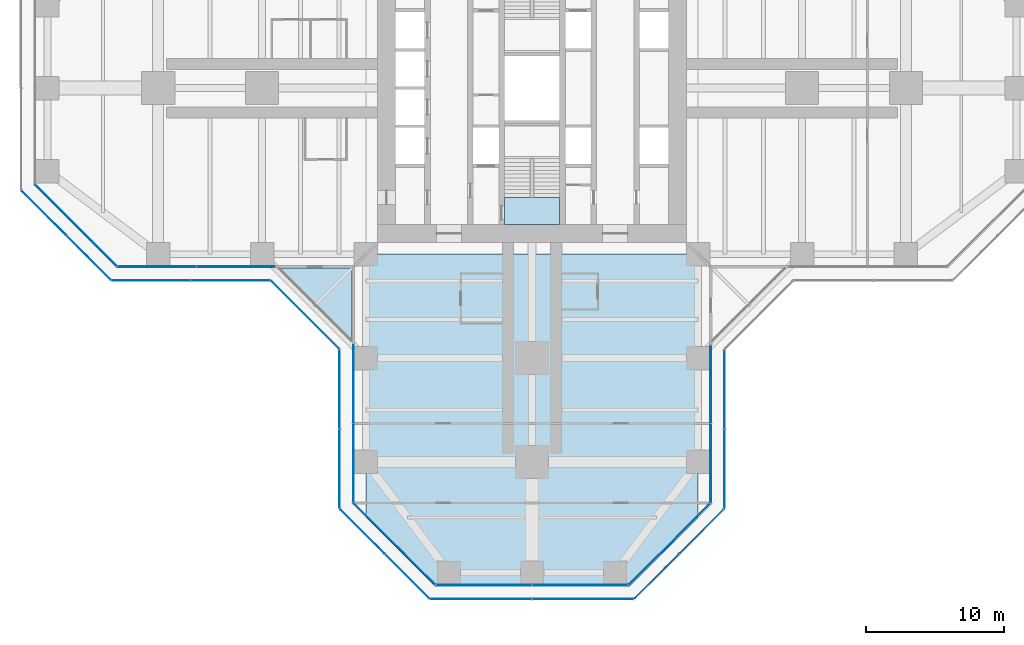
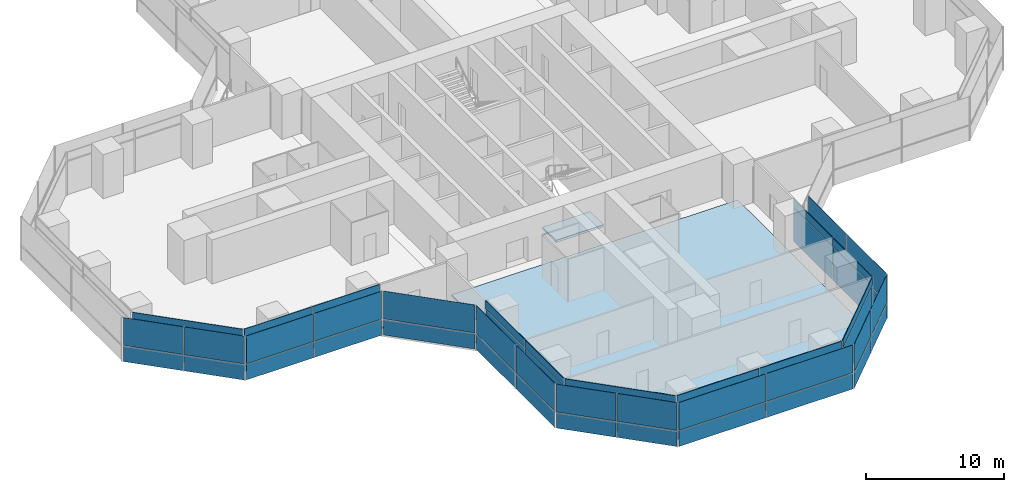
# One storey, part 14 of 22: 52 plates, 3 slabs, 16 elements without a shape of their own.
"""IFC4 building model written with IfcOpenShell, lengths in metres."""

from ifc_helpers import new_model, si_unit, direction, frame, origin, origin_2d, place, context, subcontext, project, spatial, polyline, rectangle, outline, extrude, material, layer, layer_set, type_object, element, aggregate, save


model = new_model("IFC4")

# Units and contexts
model_context = context("Model", 3, precision=1e-05, world=origin(), true_north=direction((0.0, 1.0)))
body_context = subcontext(model_context, "Body", "Model", "MODEL_VIEW")
ifc_project = project(units=[si_unit("LENGTHUNIT", "METRE"), si_unit("AREAUNIT", "SQUARE_METRE"), si_unit("VOLUMEUNIT", "CUBIC_METRE"), si_unit("PLANEANGLEUNIT", "RADIAN"), si_unit("MASSUNIT", "GRAM", prefix="KILO")], contexts=[model_context])

# Site, building, storey
site_placement = place(None, origin())
site = spatial("IfcSite", under=ifc_project, at=site_placement, CompositionType="ELEMENT")
building_placement = place(site_placement, origin())
building = spatial("IfcBuilding", under=site, at=building_placement, Name="Mizan Broadcast Tower", CompositionType="ELEMENT")
storey_placement = place(building_placement, frame((0.0, 0.0, 90.300048828125)))
storey = spatial("IfcBuildingStorey", under=building, at=storey_placement, Name="L19", CompositionType="ELEMENT", Elevation=90.300048828125)

# Slab
ifc_material_1 = material(Name="Concrete C32/40", Category="concrete")
ifc_layer_1 = layer(ifc_material_1, 0.1298828125)
ifc_layer_set_1 = layer_set([ifc_layer_1], Name="Concrete C32/40")
slab_type_1 = type_object("IfcSlabType", Name="COMPOSITE DECK SLAB 130", PredefinedType="FLOOR", material=ifc_layer_set_1)
slab_1_placement = place(storey_placement, frame((0.0, 0.0, -0.130126953125)))
element("IfcSlab", 1, at=slab_1_placement, inside=storey, type_object=slab_type_1, Name="Floor slab L19 south arm", PredefinedType="FLOOR", context=body_context, shape_type="SweptSolid", body=[
    extrude(outline(polyline([(7.0, -36.0), (12.0, -31.0), (12.0, -12.0), (-12.0, -12.0), (-12.0, -31.0), (-7.0, -36.0), (7.0, -36.0)])), origin(), (0.0, 0.0, 1.0), 0.130126953125),
])

# Curtain wall, plate
ifc_material_2 = material(Name="Aluminium framed glazing", Category="aluminium")
curtain_wall_type_1 = type_object("IfcCurtainWallType", Name="INNER SKIN LOW ZONE", PredefinedType="USERDEFINED", material=ifc_material_2)
curtain_wall_1_placement = place(storey_placement, origin())
curtain_wall_1 = element("IfcCurtainWall", 2, at=curtain_wall_1_placement, inside=storey, type_object=curtain_wall_type_1, Name="Inner skin low zone L19 W chamfer", ObjectType="INNER SKIN LOW ZONE", PredefinedType="USERDEFINED")
ifc_material_3 = material(Name="Double glazing, clear low-e", Category="glass")
ifc_layer_2 = layer(ifc_material_3, 0.028076171875)
ifc_layer_set_2 = layer_set([ifc_layer_2], Name="Double glazing, clear low-e")
plate_type_1 = type_object("IfcPlateType", Name="INNER SKIN GLAZING UNIT", PredefinedType="CURTAIN_PANEL", material=ifc_layer_set_2)
plate_1_placement = place(storey_placement, frame((-32.92919921875, -9.92919921875, 0.0), z_axis=(0.0, 0.0, 1.0), x_axis=(0.707106781187, -0.707106781187, 0.0)))
plate_1 = element("IfcPlate", 3, at=plate_1_placement, type_object=plate_type_1, Name="Inner skin low zone L19 W chamfer panel 1.1", PredefinedType="CURTAIN_PANEL", context=body_context, shape_type="SweptSolid", body=[
    extrude(rectangle(XDim=8.282470703125, YDim=0.028076171875, at=origin_2d()), origin(), (0.0, 0.0, 1.0), 3.0),
])

# Curtain wall, plates
curtain_wall_2_placement = place(storey_placement, origin())
curtain_wall_2 = element("IfcCurtainWall", 4, at=curtain_wall_2_placement, inside=storey, type_object=curtain_wall_type_1, Name="Inner skin low zone L19 W side", ObjectType="INNER SKIN LOW ZONE", PredefinedType="USERDEFINED")
plate_2_placement = place(storey_placement, frame((-27.078857421875, -12.89990234375, 0.0), z_axis=(0.0, 0.0, 1.0), x_axis=(1.0, 0.0, 0.0)))
plate_2 = element("IfcPlate", 5, at=plate_2_placement, type_object=plate_type_1, Name="Inner skin low zone L19 W side panel 1.1", PredefinedType="CURTAIN_PANEL", context=body_context, shape_type="SweptSolid", body=[
    extrude(rectangle(XDim=5.639404296875, YDim=0.028076171875, at=origin_2d()), origin(), (0.0, 0.0, 1.0), 3.0),
])
plate_3_placement = place(storey_placement, frame((-21.379638671875, -12.89990234375, 0.0), z_axis=(0.0, 0.0, 1.0), x_axis=(1.0, 0.0, 0.0)))
plate_3 = element("IfcPlate", 6, at=plate_3_placement, type_object=plate_type_1, Name="Inner skin low zone L19 W side panel 2.1", PredefinedType="CURTAIN_PANEL", context=body_context, shape_type="SweptSolid", body=[
    extrude(rectangle(XDim=5.639404296875, YDim=0.028076171875, at=origin_2d()), origin(), (0.0, 0.0, 1.0), 3.0),
])

curtain_wall_3_placement = place(storey_placement, origin())
curtain_wall_3 = element("IfcCurtainWall", 7, at=curtain_wall_3_placement, inside=storey, type_object=curtain_wall_type_1, Name="Inner skin low zone L19 S side", ObjectType="INNER SKIN LOW ZONE", PredefinedType="USERDEFINED")
plate_4_placement = place(storey_placement, frame((-12.89990234375, -21.379638671875, 0.0), z_axis=(0.0, 0.0, 1.0), x_axis=(0.0, -1.0, 0.0)))
plate_4 = element("IfcPlate", 8, at=plate_4_placement, type_object=plate_type_1, Name="Inner skin low zone L19 S side panel 1.1", PredefinedType="CURTAIN_PANEL", context=body_context, shape_type="SweptSolid", body=[
    extrude(rectangle(XDim=5.639404296875, YDim=0.028076171875, at=origin_2d()), origin(), (0.0, 0.0, 1.0), 3.0),
])
plate_5_placement = place(storey_placement, frame((-12.89990234375, -27.078857421875, 0.0), z_axis=(0.0, 0.0, 1.0), x_axis=(0.0, -1.0, 0.0)))
plate_5 = element("IfcPlate", 9, at=plate_5_placement, type_object=plate_type_1, Name="Inner skin low zone L19 S side panel 2.1", PredefinedType="CURTAIN_PANEL", context=body_context, shape_type="SweptSolid", body=[
    extrude(rectangle(XDim=5.639404296875, YDim=0.028076171875, at=origin_2d()), origin(), (0.0, 0.0, 1.0), 3.0),
])

# Curtain wall, plate
curtain_wall_4_placement = place(storey_placement, origin())
curtain_wall_4 = element("IfcCurtainWall", 10, at=curtain_wall_4_placement, inside=storey, type_object=curtain_wall_type_1, Name="Inner skin low zone L19 S chamfer", ObjectType="INNER SKIN LOW ZONE", PredefinedType="USERDEFINED")
plate_6_placement = place(storey_placement, frame((-9.92919921875, -32.92919921875, 0.0), z_axis=(0.0, 0.0, 1.0), x_axis=(0.707106781187, -0.707106781187, 0.0)))
plate_6 = element("IfcPlate", 11, at=plate_6_placement, type_object=plate_type_1, Name="Inner skin low zone L19 S chamfer panel 1.1", PredefinedType="CURTAIN_PANEL", context=body_context, shape_type="SweptSolid", body=[
    extrude(rectangle(XDim=8.282470703125, YDim=0.028076171875, at=origin_2d()), origin(), (0.0, 0.0, 1.0), 3.0),
])

# Curtain wall, plates
curtain_wall_5_placement = place(storey_placement, origin())
curtain_wall_5 = element("IfcCurtainWall", 12, at=curtain_wall_5_placement, inside=storey, type_object=curtain_wall_type_1, Name="Inner skin low zone L19 S end", ObjectType="INNER SKIN LOW ZONE", PredefinedType="USERDEFINED")
plate_7_placement = place(storey_placement, frame((-3.46435546875, -35.89990234375, 0.0), z_axis=(0.0, 0.0, 1.0), x_axis=(1.0, 0.0, 0.0)))
plate_7 = element("IfcPlate", 13, at=plate_7_placement, type_object=plate_type_1, Name="Inner skin low zone L19 S end panel 1.1", PredefinedType="CURTAIN_PANEL", context=body_context, shape_type="SweptSolid", body=[
    extrude(rectangle(XDim=6.86865234375, YDim=0.028076171875, at=origin_2d()), origin(), (0.0, 0.0, 1.0), 3.0),
])
plate_8_placement = place(storey_placement, frame((3.46435546875, -35.89990234375, 0.0), z_axis=(0.0, 0.0, 1.0), x_axis=(1.0, 0.0, 0.0)))
plate_8 = element("IfcPlate", 14, at=plate_8_placement, type_object=plate_type_1, Name="Inner skin low zone L19 S end panel 2.1", PredefinedType="CURTAIN_PANEL", context=body_context, shape_type="SweptSolid", body=[
    extrude(rectangle(XDim=6.86865234375, YDim=0.028076171875, at=origin_2d()), origin(), (0.0, 0.0, 1.0), 3.0),
])

# Curtain wall, plate
curtain_wall_6_placement = place(storey_placement, origin())
curtain_wall_6 = element("IfcCurtainWall", 15, at=curtain_wall_6_placement, inside=storey, type_object=curtain_wall_type_1, Name="Inner skin low zone L19 S chamfer", ObjectType="INNER SKIN LOW ZONE", PredefinedType="USERDEFINED")
plate_9_placement = place(storey_placement, frame((9.92919921875, -32.92919921875, 0.0), z_axis=(0.0, 0.0, 1.0), x_axis=(0.707106781187, 0.707106781187, 0.0)))
plate_9 = element("IfcPlate", 16, at=plate_9_placement, type_object=plate_type_1, Name="Inner skin low zone L19 S chamfer panel 1.1", PredefinedType="CURTAIN_PANEL", context=body_context, shape_type="SweptSolid", body=[
    extrude(rectangle(XDim=8.282470703125, YDim=0.028076171875, at=origin_2d()), origin(), (0.0, 0.0, 1.0), 3.0),
])

# Curtain wall, plates
curtain_wall_7_placement = place(storey_placement, origin())
curtain_wall_7 = element("IfcCurtainWall", 17, at=curtain_wall_7_placement, inside=storey, type_object=curtain_wall_type_1, Name="Inner skin low zone L19 S side", ObjectType="INNER SKIN LOW ZONE", PredefinedType="USERDEFINED")
plate_10_placement = place(storey_placement, frame((12.89990234375, -27.078857421875, 0.0), z_axis=(0.0, 0.0, 1.0), x_axis=(0.0, 1.0, 0.0)))
plate_10 = element("IfcPlate", 18, at=plate_10_placement, type_object=plate_type_1, Name="Inner skin low zone L19 S side panel 1.1", PredefinedType="CURTAIN_PANEL", context=body_context, shape_type="SweptSolid", body=[
    extrude(rectangle(XDim=5.639404296875, YDim=0.028076171875, at=origin_2d()), origin(), (0.0, 0.0, 1.0), 3.0),
])
plate_11_placement = place(storey_placement, frame((12.89990234375, -21.379638671875, 0.0), z_axis=(0.0, 0.0, 1.0), x_axis=(0.0, 1.0, 0.0)))
plate_11 = element("IfcPlate", 19, at=plate_11_placement, type_object=plate_type_1, Name="Inner skin low zone L19 S side panel 2.1", PredefinedType="CURTAIN_PANEL", context=body_context, shape_type="SweptSolid", body=[
    extrude(rectangle(XDim=5.639404296875, YDim=0.028076171875, at=origin_2d()), origin(), (0.0, 0.0, 1.0), 3.0),
])

# Plate
ifc_material_4 = material(Name="Insulated aluminium spandrel panel, pale anodised", Category="aluminium")
ifc_layer_3 = layer(ifc_material_4, 0.050048828125)
ifc_layer_set_3 = layer_set([ifc_layer_3], Name="Insulated aluminium spandrel panel, pale anodised")
plate_type_2 = type_object("IfcPlateType", Name="INNER SKIN SPANDREL PANEL", PredefinedType="CURTAIN_PANEL", material=ifc_layer_set_3)
plate_12_placement = place(storey_placement, frame((-32.92919921875, -9.92919921875, 3.06005859375), z_axis=(0.0, 0.0, 1.0), x_axis=(0.707106781187, -0.707106781187, 0.0)))
plate_12 = element("IfcPlate", 20, at=plate_12_placement, type_object=plate_type_2, Name="Inner skin low zone L19 W chamfer panel 1.2", PredefinedType="CURTAIN_PANEL", context=body_context, shape_type="SweptSolid", body=[
    extrude(rectangle(XDim=8.282470703125, YDim=0.050048828125, at=origin_2d()), origin(), (0.0, 0.0, 1.0), 0.7099609375),
])

aggregate(curtain_wall_1, [plate_1, plate_12])

plate_13_placement = place(storey_placement, frame((-27.078857421875, -12.89990234375, 3.06005859375), z_axis=(0.0, 0.0, 1.0), x_axis=(1.0, 0.0, 0.0)))
plate_13 = element("IfcPlate", 21, at=plate_13_placement, type_object=plate_type_2, Name="Inner skin low zone L19 W side panel 1.2", PredefinedType="CURTAIN_PANEL", context=body_context, shape_type="SweptSolid", body=[
    extrude(rectangle(XDim=5.639404296875, YDim=0.050048828125, at=origin_2d()), origin(), (0.0, 0.0, 1.0), 0.7099609375),
])

plate_14_placement = place(storey_placement, frame((-21.379638671875, -12.89990234375, 3.06005859375), z_axis=(0.0, 0.0, 1.0), x_axis=(1.0, 0.0, 0.0)))
plate_14 = element("IfcPlate", 22, at=plate_14_placement, type_object=plate_type_2, Name="Inner skin low zone L19 W side panel 2.2", PredefinedType="CURTAIN_PANEL", context=body_context, shape_type="SweptSolid", body=[
    extrude(rectangle(XDim=5.639404296875, YDim=0.050048828125, at=origin_2d()), origin(), (0.0, 0.0, 1.0), 0.7099609375),
])

aggregate(curtain_wall_2, [plate_2, plate_13, plate_3, plate_14])

plate_15_placement = place(storey_placement, frame((-12.89990234375, -21.379638671875, 3.06005859375), z_axis=(0.0, 0.0, 1.0), x_axis=(0.0, -1.0, 0.0)))
plate_15 = element("IfcPlate", 23, at=plate_15_placement, type_object=plate_type_2, Name="Inner skin low zone L19 S side panel 1.2", PredefinedType="CURTAIN_PANEL", context=body_context, shape_type="SweptSolid", body=[
    extrude(rectangle(XDim=5.639404296875, YDim=0.050048828125, at=origin_2d()), origin(), (0.0, 0.0, 1.0), 0.7099609375),
])

plate_16_placement = place(storey_placement, frame((-12.89990234375, -27.078857421875, 3.06005859375), z_axis=(0.0, 0.0, 1.0), x_axis=(0.0, -1.0, 0.0)))
plate_16 = element("IfcPlate", 24, at=plate_16_placement, type_object=plate_type_2, Name="Inner skin low zone L19 S side panel 2.2", PredefinedType="CURTAIN_PANEL", context=body_context, shape_type="SweptSolid", body=[
    extrude(rectangle(XDim=5.639404296875, YDim=0.050048828125, at=origin_2d()), origin(), (0.0, 0.0, 1.0), 0.7099609375),
])

aggregate(curtain_wall_3, [plate_4, plate_15, plate_5, plate_16])

plate_17_placement = place(storey_placement, frame((-9.92919921875, -32.92919921875, 3.06005859375), z_axis=(0.0, 0.0, 1.0), x_axis=(0.707106781187, -0.707106781187, 0.0)))
plate_17 = element("IfcPlate", 25, at=plate_17_placement, type_object=plate_type_2, Name="Inner skin low zone L19 S chamfer panel 1.2", PredefinedType="CURTAIN_PANEL", context=body_context, shape_type="SweptSolid", body=[
    extrude(rectangle(XDim=8.282470703125, YDim=0.050048828125, at=origin_2d()), origin(), (0.0, 0.0, 1.0), 0.7099609375),
])

aggregate(curtain_wall_4, [plate_6, plate_17])

plate_18_placement = place(storey_placement, frame((-3.46435546875, -35.89990234375, 3.06005859375), z_axis=(0.0, 0.0, 1.0), x_axis=(1.0, 0.0, 0.0)))
plate_18 = element("IfcPlate", 26, at=plate_18_placement, type_object=plate_type_2, Name="Inner skin low zone L19 S end panel 1.2", PredefinedType="CURTAIN_PANEL", context=body_context, shape_type="SweptSolid", body=[
    extrude(rectangle(XDim=6.86865234375, YDim=0.050048828125, at=origin_2d()), origin(), (0.0, 0.0, 1.0), 0.7099609375),
])

plate_19_placement = place(storey_placement, frame((3.46435546875, -35.89990234375, 3.06005859375), z_axis=(0.0, 0.0, 1.0), x_axis=(1.0, 0.0, 0.0)))
plate_19 = element("IfcPlate", 27, at=plate_19_placement, type_object=plate_type_2, Name="Inner skin low zone L19 S end panel 2.2", PredefinedType="CURTAIN_PANEL", context=body_context, shape_type="SweptSolid", body=[
    extrude(rectangle(XDim=6.86865234375, YDim=0.050048828125, at=origin_2d()), origin(), (0.0, 0.0, 1.0), 0.7099609375),
])

aggregate(curtain_wall_5, [plate_7, plate_18, plate_8, plate_19])

plate_20_placement = place(storey_placement, frame((9.92919921875, -32.92919921875, 3.06005859375), z_axis=(0.0, 0.0, 1.0), x_axis=(0.707106781187, 0.707106781187, 0.0)))
plate_20 = element("IfcPlate", 28, at=plate_20_placement, type_object=plate_type_2, Name="Inner skin low zone L19 S chamfer panel 1.2", PredefinedType="CURTAIN_PANEL", context=body_context, shape_type="SweptSolid", body=[
    extrude(rectangle(XDim=8.282470703125, YDim=0.050048828125, at=origin_2d()), origin(), (0.0, 0.0, 1.0), 0.7099609375),
])

aggregate(curtain_wall_6, [plate_9, plate_20])

plate_21_placement = place(storey_placement, frame((12.89990234375, -27.078857421875, 3.06005859375), z_axis=(0.0, 0.0, 1.0), x_axis=(0.0, 1.0, 0.0)))
plate_21 = element("IfcPlate", 29, at=plate_21_placement, type_object=plate_type_2, Name="Inner skin low zone L19 S side panel 1.2", PredefinedType="CURTAIN_PANEL", context=body_context, shape_type="SweptSolid", body=[
    extrude(rectangle(XDim=5.639404296875, YDim=0.050048828125, at=origin_2d()), origin(), (0.0, 0.0, 1.0), 0.7099609375),
])

plate_22_placement = place(storey_placement, frame((12.89990234375, -21.379638671875, 3.06005859375), z_axis=(0.0, 0.0, 1.0), x_axis=(0.0, 1.0, 0.0)))
plate_22 = element("IfcPlate", 30, at=plate_22_placement, type_object=plate_type_2, Name="Inner skin low zone L19 S side panel 2.2", PredefinedType="CURTAIN_PANEL", context=body_context, shape_type="SweptSolid", body=[
    extrude(rectangle(XDim=5.639404296875, YDim=0.050048828125, at=origin_2d()), origin(), (0.0, 0.0, 1.0), 0.7099609375),
])

aggregate(curtain_wall_7, [plate_10, plate_21, plate_11, plate_22])

# Curtain wall, plates
ifc_material_5 = material(Name="Aluminium framed glazing", Category="aluminium")
curtain_wall_type_2 = type_object("IfcCurtainWallType", Name="OUTER SKIN", PredefinedType="USERDEFINED", material=ifc_material_5)
curtain_wall_8_placement = place(storey_placement, origin())
curtain_wall_8 = element("IfcCurtainWall", 31, at=curtain_wall_8_placement, inside=storey, type_object=curtain_wall_type_2, Name="Outer skin L19 W chamfer", ObjectType="OUTER SKIN", PredefinedType="USERDEFINED")
ifc_material_6 = material(Name="Laminated clear glass", Category="glass")
ifc_layer_4 = layer(ifc_material_6, 0.02001953125)
ifc_layer_set_4 = layer_set([ifc_layer_4], Name="Laminated clear glass")
plate_type_3 = type_object("IfcPlateType", Name="OUTER SKIN CLEAR GLASS", PredefinedType="CURTAIN_PANEL", material=ifc_layer_set_4)
plate_23_placement = place(storey_placement, frame((-35.254150390625, -9.018798828125, 0.0), z_axis=(0.0, 0.0, 1.0), x_axis=(0.707106781187, -0.707106781187, 0.0)))
plate_23 = element("IfcPlate", 32, at=plate_23_placement, type_object=plate_type_3, Name="Outer skin L19 W chamfer panel 1.1", PredefinedType="CURTAIN_PANEL", context=body_context, shape_type="SweptSolid", body=[
    extrude(rectangle(XDim=4.495361328125, YDim=0.02001953125, at=origin_2d()), origin(), (0.0, 0.0, 1.0), 1.3701171875),
])
plate_24_placement = place(storey_placement, frame((-35.254150390625, -9.018798828125, 1.43017578125), z_axis=(0.0, 0.0, 1.0), x_axis=(0.707106781187, -0.707106781187, 0.0)))
plate_24 = element("IfcPlate", 33, at=plate_24_placement, type_object=plate_type_3, Name="Outer skin L19 W chamfer panel 1.2", PredefinedType="CURTAIN_PANEL", context=body_context, shape_type="SweptSolid", body=[
    extrude(rectangle(XDim=4.495361328125, YDim=0.02001953125, at=origin_2d()), origin(), (0.0, 0.0, 1.0), 2.469970703125),
])

curtain_wall_9_placement = place(storey_placement, origin())
curtain_wall_9 = element("IfcCurtainWall", 34, at=curtain_wall_9_placement, inside=storey, type_object=curtain_wall_type_2, Name="Outer skin L19 W side", ObjectType="OUTER SKIN", PredefinedType="USERDEFINED")
plate_25_placement = place(storey_placement, frame((-27.477783203125, -13.89990234375, 0.0), z_axis=(0.0, 0.0, 1.0), x_axis=(1.0, 0.0, 0.0)))
plate_25 = element("IfcPlate", 35, at=plate_25_placement, type_object=plate_type_3, Name="Outer skin L19 W side panel 1.1", PredefinedType="CURTAIN_PANEL", context=body_context, shape_type="SweptSolid", body=[
    extrude(rectangle(XDim=5.6298828125, YDim=0.02001953125, at=origin_2d()), origin(), (0.0, 0.0, 1.0), 1.3701171875),
])
plate_26_placement = place(storey_placement, frame((-27.477783203125, -13.89990234375, 1.43017578125), z_axis=(0.0, 0.0, 1.0), x_axis=(1.0, 0.0, 0.0)))
plate_26 = element("IfcPlate", 36, at=plate_26_placement, type_object=plate_type_3, Name="Outer skin L19 W side panel 1.2", PredefinedType="CURTAIN_PANEL", context=body_context, shape_type="SweptSolid", body=[
    extrude(rectangle(XDim=5.6298828125, YDim=0.02001953125, at=origin_2d()), origin(), (0.0, 0.0, 1.0), 2.469970703125),
])

curtain_wall_10_placement = place(storey_placement, origin())
curtain_wall_10 = element("IfcCurtainWall", 37, at=curtain_wall_10_placement, inside=storey, type_object=curtain_wall_type_2, Name="Outer skin L19 W chamfer", ObjectType="OUTER SKIN", PredefinedType="USERDEFINED")
plate_27_placement = place(storey_placement, frame((-16.386474609375, -16.386474609375, 0.0), z_axis=(0.0, 0.0, 1.0), x_axis=(0.707106781187, -0.707106781187, 0.0)))
plate_27 = element("IfcPlate", 38, at=plate_27_placement, type_object=plate_type_3, Name="Outer skin L19 W chamfer panel 1.1", PredefinedType="CURTAIN_PANEL", context=body_context, shape_type="SweptSolid", body=[
    extrude(rectangle(XDim=6.87255859375, YDim=0.02001953125, at=origin_2d()), origin(), (0.0, 0.0, 1.0), 1.3701171875),
])
plate_28_placement = place(storey_placement, frame((-16.386474609375, -16.386474609375, 1.43017578125), z_axis=(0.0, 0.0, 1.0), x_axis=(0.707106781187, -0.707106781187, 0.0)))
plate_28 = element("IfcPlate", 39, at=plate_28_placement, type_object=plate_type_3, Name="Outer skin L19 W chamfer panel 1.2", PredefinedType="CURTAIN_PANEL", context=body_context, shape_type="SweptSolid", body=[
    extrude(rectangle(XDim=6.87255859375, YDim=0.02001953125, at=origin_2d()), origin(), (0.0, 0.0, 1.0), 2.469970703125),
])
aggregate(curtain_wall_10, [plate_27, plate_28])

curtain_wall_11_placement = place(storey_placement, origin())
curtain_wall_11 = element("IfcCurtainWall", 40, at=curtain_wall_11_placement, inside=storey, type_object=curtain_wall_type_2, Name="Outer skin L19 S side", ObjectType="OUTER SKIN", PredefinedType="USERDEFINED")
plate_29_placement = place(storey_placement, frame((-13.89990234375, -21.767822265625, 0.0), z_axis=(0.0, 0.0, 1.0), x_axis=(0.0, -1.0, 0.0)))
plate_29 = element("IfcPlate", 41, at=plate_29_placement, type_object=plate_type_3, Name="Outer skin L19 S side panel 1.1", PredefinedType="CURTAIN_PANEL", context=body_context, shape_type="SweptSolid", body=[
    extrude(rectangle(XDim=5.6298828125, YDim=0.02001953125, at=origin_2d()), origin(), (0.0, 0.0, 1.0), 1.3701171875),
])
plate_30_placement = place(storey_placement, frame((-13.89990234375, -21.767822265625, 1.43017578125), z_axis=(0.0, 0.0, 1.0), x_axis=(0.0, -1.0, 0.0)))
plate_30 = element("IfcPlate", 42, at=plate_30_placement, type_object=plate_type_3, Name="Outer skin L19 S side panel 1.2", PredefinedType="CURTAIN_PANEL", context=body_context, shape_type="SweptSolid", body=[
    extrude(rectangle(XDim=5.6298828125, YDim=0.02001953125, at=origin_2d()), origin(), (0.0, 0.0, 1.0), 2.469970703125),
])

curtain_wall_12_placement = place(storey_placement, origin())
curtain_wall_12 = element("IfcCurtainWall", 43, at=curtain_wall_12_placement, inside=storey, type_object=curtain_wall_type_2, Name="Outer skin L19 S chamfer", ObjectType="OUTER SKIN", PredefinedType="USERDEFINED")
plate_31_placement = place(storey_placement, frame((-12.254150390625, -32.018798828125, 0.0), z_axis=(0.0, 0.0, 1.0), x_axis=(0.707106781187, -0.707106781187, 0.0)))
plate_31 = element("IfcPlate", 44, at=plate_31_placement, type_object=plate_type_3, Name="Outer skin L19 S chamfer panel 1.1", PredefinedType="CURTAIN_PANEL", context=body_context, shape_type="SweptSolid", body=[
    extrude(rectangle(XDim=4.495361328125, YDim=0.02001953125, at=origin_2d()), origin(), (0.0, 0.0, 1.0), 1.3701171875),
])
plate_32_placement = place(storey_placement, frame((-12.254150390625, -32.018798828125, 1.43017578125), z_axis=(0.0, 0.0, 1.0), x_axis=(0.707106781187, -0.707106781187, 0.0)))
plate_32 = element("IfcPlate", 45, at=plate_32_placement, type_object=plate_type_3, Name="Outer skin L19 S chamfer panel 1.2", PredefinedType="CURTAIN_PANEL", context=body_context, shape_type="SweptSolid", body=[
    extrude(rectangle(XDim=4.495361328125, YDim=0.02001953125, at=origin_2d()), origin(), (0.0, 0.0, 1.0), 2.469970703125),
])

curtain_wall_13_placement = place(storey_placement, origin())
curtain_wall_13 = element("IfcCurtainWall", 46, at=curtain_wall_13_placement, inside=storey, type_object=curtain_wall_type_2, Name="Outer skin L19 S end", ObjectType="OUTER SKIN", PredefinedType="USERDEFINED")
plate_33_placement = place(storey_placement, frame((-3.66650390625, -36.89990234375, 0.0), z_axis=(0.0, 0.0, 1.0), x_axis=(1.0, 0.0, 0.0)))
plate_33 = element("IfcPlate", 47, at=plate_33_placement, type_object=plate_type_3, Name="Outer skin L19 S end panel 1.1", PredefinedType="CURTAIN_PANEL", context=body_context, shape_type="SweptSolid", body=[
    extrude(rectangle(XDim=7.252685546875, YDim=0.02001953125, at=origin_2d()), origin(), (0.0, 0.0, 1.0), 1.3701171875),
])
plate_34_placement = place(storey_placement, frame((-3.66650390625, -36.89990234375, 1.43017578125), z_axis=(0.0, 0.0, 1.0), x_axis=(1.0, 0.0, 0.0)))
plate_34 = element("IfcPlate", 48, at=plate_34_placement, type_object=plate_type_3, Name="Outer skin L19 S end panel 1.2", PredefinedType="CURTAIN_PANEL", context=body_context, shape_type="SweptSolid", body=[
    extrude(rectangle(XDim=7.252685546875, YDim=0.02001953125, at=origin_2d()), origin(), (0.0, 0.0, 1.0), 2.469970703125),
])

curtain_wall_14_placement = place(storey_placement, origin())
curtain_wall_14 = element("IfcCurtainWall", 49, at=curtain_wall_14_placement, inside=storey, type_object=curtain_wall_type_2, Name="Outer skin L19 S chamfer", ObjectType="OUTER SKIN", PredefinedType="USERDEFINED")
plate_35_placement = place(storey_placement, frame((9.018798828125, -35.254150390625, 0.0), z_axis=(0.0, 0.0, 1.0), x_axis=(0.707106781187, 0.707106781187, 0.0)))
plate_35 = element("IfcPlate", 50, at=plate_35_placement, type_object=plate_type_3, Name="Outer skin L19 S chamfer panel 1.1", PredefinedType="CURTAIN_PANEL", context=body_context, shape_type="SweptSolid", body=[
    extrude(rectangle(XDim=4.495361328125, YDim=0.02001953125, at=origin_2d()), origin(), (0.0, 0.0, 1.0), 1.3701171875),
])
plate_36_placement = place(storey_placement, frame((9.018798828125, -35.254150390625, 1.43017578125), z_axis=(0.0, 0.0, 1.0), x_axis=(0.707106781187, 0.707106781187, 0.0)))
plate_36 = element("IfcPlate", 51, at=plate_36_placement, type_object=plate_type_3, Name="Outer skin L19 S chamfer panel 1.2", PredefinedType="CURTAIN_PANEL", context=body_context, shape_type="SweptSolid", body=[
    extrude(rectangle(XDim=4.495361328125, YDim=0.02001953125, at=origin_2d()), origin(), (0.0, 0.0, 1.0), 2.469970703125),
])

curtain_wall_15_placement = place(storey_placement, origin())
curtain_wall_15 = element("IfcCurtainWall", 52, at=curtain_wall_15_placement, inside=storey, type_object=curtain_wall_type_2, Name="Outer skin L19 S side", ObjectType="OUTER SKIN", PredefinedType="USERDEFINED")
plate_37_placement = place(storey_placement, frame((13.89990234375, -27.477783203125, 0.0), z_axis=(0.0, 0.0, 1.0), x_axis=(0.0, 1.0, 0.0)))
plate_37 = element("IfcPlate", 53, at=plate_37_placement, type_object=plate_type_3, Name="Outer skin L19 S side panel 1.1", PredefinedType="CURTAIN_PANEL", context=body_context, shape_type="SweptSolid", body=[
    extrude(rectangle(XDim=5.6298828125, YDim=0.02001953125, at=origin_2d()), origin(), (0.0, 0.0, 1.0), 1.3701171875),
])
plate_38_placement = place(storey_placement, frame((13.89990234375, -27.477783203125, 1.43017578125), z_axis=(0.0, 0.0, 1.0), x_axis=(0.0, 1.0, 0.0)))
plate_38 = element("IfcPlate", 54, at=plate_38_placement, type_object=plate_type_3, Name="Outer skin L19 S side panel 1.2", PredefinedType="CURTAIN_PANEL", context=body_context, shape_type="SweptSolid", body=[
    extrude(rectangle(XDim=5.6298828125, YDim=0.02001953125, at=origin_2d()), origin(), (0.0, 0.0, 1.0), 2.469970703125),
])

# Plate
ifc_material_7 = material(Name="Perforated aluminium, pale anodised", Category="aluminium")
ifc_layer_5 = layer(ifc_material_7, 0.011962890625)
ifc_layer_set_5 = layer_set([ifc_layer_5], Name="Perforated aluminium, pale anodised")
plate_type_4 = type_object("IfcPlateType", Name="OUTER SKIN PERFORATED SCREEN", PredefinedType="USERDEFINED", material=ifc_layer_set_5)
plate_39_placement = place(storey_placement, frame((-32.018798828125, -12.254150390625, 0.0), z_axis=(0.0, 0.0, 1.0), x_axis=(0.707106781187, -0.707106781187, 0.0)))
plate_39 = element("IfcPlate", 55, at=plate_39_placement, type_object=plate_type_4, Name="Outer skin L19 W chamfer panel 2.1", ObjectType="SCREEN", PredefinedType="USERDEFINED", context=body_context, shape_type="SweptSolid", body=[
    extrude(rectangle(XDim=4.495361328125, YDim=0.011962890625, at=origin_2d()), origin(), (0.0, 0.0, 1.0), 1.3701171875),
])

plate_40_placement = place(storey_placement, frame((-32.018798828125, -12.254150390625, 1.43017578125), z_axis=(0.0, 0.0, 1.0), x_axis=(0.707106781187, -0.707106781187, 0.0)))
plate_40 = element("IfcPlate", 56, at=plate_40_placement, type_object=plate_type_4, Name="Outer skin L19 W chamfer panel 2.2", ObjectType="SCREEN", PredefinedType="USERDEFINED", context=body_context, shape_type="SweptSolid", body=[
    extrude(rectangle(XDim=4.495361328125, YDim=0.011962890625, at=origin_2d()), origin(), (0.0, 0.0, 1.0), 2.469970703125),
])

aggregate(curtain_wall_8, [plate_23, plate_24, plate_39, plate_40])

plate_41_placement = place(storey_placement, frame((-21.767822265625, -13.89990234375, 0.0), z_axis=(0.0, 0.0, 1.0), x_axis=(1.0, 0.0, 0.0)))
plate_41 = element("IfcPlate", 57, at=plate_41_placement, type_object=plate_type_4, Name="Outer skin L19 W side panel 2.1", ObjectType="SCREEN", PredefinedType="USERDEFINED", context=body_context, shape_type="SweptSolid", body=[
    extrude(rectangle(XDim=5.6298828125, YDim=0.011962890625, at=origin_2d()), origin(), (0.0, 0.0, 1.0), 1.3701171875),
])

plate_42_placement = place(storey_placement, frame((-21.767822265625, -13.89990234375, 1.43017578125), z_axis=(0.0, 0.0, 1.0), x_axis=(1.0, 0.0, 0.0)))
plate_42 = element("IfcPlate", 58, at=plate_42_placement, type_object=plate_type_4, Name="Outer skin L19 W side panel 2.2", ObjectType="SCREEN", PredefinedType="USERDEFINED", context=body_context, shape_type="SweptSolid", body=[
    extrude(rectangle(XDim=5.6298828125, YDim=0.011962890625, at=origin_2d()), origin(), (0.0, 0.0, 1.0), 2.469970703125),
])

aggregate(curtain_wall_9, [plate_25, plate_26, plate_41, plate_42])

plate_43_placement = place(storey_placement, frame((-13.89990234375, -27.477783203125, 0.0), z_axis=(0.0, 0.0, 1.0), x_axis=(0.0, -1.0, 0.0)))
plate_43 = element("IfcPlate", 59, at=plate_43_placement, type_object=plate_type_4, Name="Outer skin L19 S side panel 2.1", ObjectType="SCREEN", PredefinedType="USERDEFINED", context=body_context, shape_type="SweptSolid", body=[
    extrude(rectangle(XDim=5.6298828125, YDim=0.011962890625, at=origin_2d()), origin(), (0.0, 0.0, 1.0), 1.3701171875),
])

plate_44_placement = place(storey_placement, frame((-13.89990234375, -27.477783203125, 1.43017578125), z_axis=(0.0, 0.0, 1.0), x_axis=(0.0, -1.0, 0.0)))
plate_44 = element("IfcPlate", 60, at=plate_44_placement, type_object=plate_type_4, Name="Outer skin L19 S side panel 2.2", ObjectType="SCREEN", PredefinedType="USERDEFINED", context=body_context, shape_type="SweptSolid", body=[
    extrude(rectangle(XDim=5.6298828125, YDim=0.011962890625, at=origin_2d()), origin(), (0.0, 0.0, 1.0), 2.469970703125),
])

aggregate(curtain_wall_11, [plate_29, plate_30, plate_43, plate_44])

plate_45_placement = place(storey_placement, frame((-9.018798828125, -35.254150390625, 0.0), z_axis=(0.0, 0.0, 1.0), x_axis=(0.707106781187, -0.707106781187, 0.0)))
plate_45 = element("IfcPlate", 61, at=plate_45_placement, type_object=plate_type_4, Name="Outer skin L19 S chamfer panel 2.1", ObjectType="SCREEN", PredefinedType="USERDEFINED", context=body_context, shape_type="SweptSolid", body=[
    extrude(rectangle(XDim=4.495361328125, YDim=0.011962890625, at=origin_2d()), origin(), (0.0, 0.0, 1.0), 1.3701171875),
])

plate_46_placement = place(storey_placement, frame((-9.018798828125, -35.254150390625, 1.43017578125), z_axis=(0.0, 0.0, 1.0), x_axis=(0.707106781187, -0.707106781187, 0.0)))
plate_46 = element("IfcPlate", 62, at=plate_46_placement, type_object=plate_type_4, Name="Outer skin L19 S chamfer panel 2.2", ObjectType="SCREEN", PredefinedType="USERDEFINED", context=body_context, shape_type="SweptSolid", body=[
    extrude(rectangle(XDim=4.495361328125, YDim=0.011962890625, at=origin_2d()), origin(), (0.0, 0.0, 1.0), 2.469970703125),
])

aggregate(curtain_wall_12, [plate_31, plate_32, plate_45, plate_46])

plate_47_placement = place(storey_placement, frame((3.66650390625, -36.89990234375, 0.0), z_axis=(0.0, 0.0, 1.0), x_axis=(1.0, 0.0, 0.0)))
plate_47 = element("IfcPlate", 63, at=plate_47_placement, type_object=plate_type_4, Name="Outer skin L19 S end panel 2.1", ObjectType="SCREEN", PredefinedType="USERDEFINED", context=body_context, shape_type="SweptSolid", body=[
    extrude(rectangle(XDim=7.252685546875, YDim=0.011962890625, at=origin_2d()), origin(), (0.0, 0.0, 1.0), 1.3701171875),
])

plate_48_placement = place(storey_placement, frame((3.66650390625, -36.89990234375, 1.43017578125), z_axis=(0.0, 0.0, 1.0), x_axis=(1.0, 0.0, 0.0)))
plate_48 = element("IfcPlate", 64, at=plate_48_placement, type_object=plate_type_4, Name="Outer skin L19 S end panel 2.2", ObjectType="SCREEN", PredefinedType="USERDEFINED", context=body_context, shape_type="SweptSolid", body=[
    extrude(rectangle(XDim=7.252685546875, YDim=0.011962890625, at=origin_2d()), origin(), (0.0, 0.0, 1.0), 2.469970703125),
])

aggregate(curtain_wall_13, [plate_33, plate_34, plate_47, plate_48])

plate_49_placement = place(storey_placement, frame((12.254150390625, -32.018798828125, 0.0), z_axis=(0.0, 0.0, 1.0), x_axis=(0.707106781187, 0.707106781187, 0.0)))
plate_49 = element("IfcPlate", 65, at=plate_49_placement, type_object=plate_type_4, Name="Outer skin L19 S chamfer panel 2.1", ObjectType="SCREEN", PredefinedType="USERDEFINED", context=body_context, shape_type="SweptSolid", body=[
    extrude(rectangle(XDim=4.495361328125, YDim=0.011962890625, at=origin_2d()), origin(), (0.0, 0.0, 1.0), 1.3701171875),
])

plate_50_placement = place(storey_placement, frame((12.254150390625, -32.018798828125, 1.43017578125), z_axis=(0.0, 0.0, 1.0), x_axis=(0.707106781187, 0.707106781187, 0.0)))
plate_50 = element("IfcPlate", 66, at=plate_50_placement, type_object=plate_type_4, Name="Outer skin L19 S chamfer panel 2.2", ObjectType="SCREEN", PredefinedType="USERDEFINED", context=body_context, shape_type="SweptSolid", body=[
    extrude(rectangle(XDim=4.495361328125, YDim=0.011962890625, at=origin_2d()), origin(), (0.0, 0.0, 1.0), 2.469970703125),
])

aggregate(curtain_wall_14, [plate_35, plate_36, plate_49, plate_50])

plate_51_placement = place(storey_placement, frame((13.89990234375, -21.767822265625, 0.0), z_axis=(0.0, 0.0, 1.0), x_axis=(0.0, 1.0, 0.0)))
plate_51 = element("IfcPlate", 67, at=plate_51_placement, type_object=plate_type_4, Name="Outer skin L19 S side panel 2.1", ObjectType="SCREEN", PredefinedType="USERDEFINED", context=body_context, shape_type="SweptSolid", body=[
    extrude(rectangle(XDim=5.6298828125, YDim=0.011962890625, at=origin_2d()), origin(), (0.0, 0.0, 1.0), 1.3701171875),
])

plate_52_placement = place(storey_placement, frame((13.89990234375, -21.767822265625, 1.43017578125), z_axis=(0.0, 0.0, 1.0), x_axis=(0.0, 1.0, 0.0)))
plate_52 = element("IfcPlate", 68, at=plate_52_placement, type_object=plate_type_4, Name="Outer skin L19 S side panel 2.2", ObjectType="SCREEN", PredefinedType="USERDEFINED", context=body_context, shape_type="SweptSolid", body=[
    extrude(rectangle(XDim=5.6298828125, YDim=0.011962890625, at=origin_2d()), origin(), (0.0, 0.0, 1.0), 2.469970703125),
])

aggregate(curtain_wall_15, [plate_37, plate_38, plate_51, plate_52])

# Stair, slab
ifc_material_8 = material(Name="Concrete C40/50", Category="concrete")
stair_type = type_object("IfcStairType", Name="EXIT STAIR", PredefinedType="HALF_TURN_STAIR", material=ifc_material_8)
stair_placement = place(storey_placement, origin())
stair = element("IfcStair", 69, at=stair_placement, inside=storey, type_object=stair_type, Name="Stair A L19", PredefinedType="HALF_TURN_STAIR")
ifc_material_9 = material(Name="Concrete C40/50", Category="concrete")
ifc_layer_6 = layer(ifc_material_9, 0.199951171875)
ifc_layer_set_6 = layer_set([ifc_layer_6], Name="Concrete C40/50")
slab_type_2 = type_object("IfcSlabType", Name="STAIR LANDING 200", PredefinedType="LANDING", material=ifc_layer_set_6)
slab_2_placement = place(storey_placement, frame((0.0, 0.0, -0.199951171875)))
slab_2 = element("IfcSlab", 70, at=slab_2_placement, type_object=slab_type_2, Name="A landing 1", PredefinedType="LANDING", context=body_context, shape_type="SweptSolid", body=[
    extrude(outline(polyline([(-2.0, -9.85009765625), (-2.0, -7.89990234375), (2.0, -7.89990234375), (2.0, -9.85009765625), (-2.0, -9.85009765625)])), origin(), (0.0, 0.0, 1.0), 0.199951171875),
])
aggregate(stair, [slab_2])

# Slab
ifc_material_10 = material(Name="Concrete C32/40", Category="concrete")
ifc_layer_7 = layer(ifc_material_10, 0.1298828125)
ifc_layer_set_7 = layer_set([ifc_layer_7], Name="Concrete C32/40")
slab_type_3 = type_object("IfcSlabType", Name="WINTER GARDEN SLAB 130", PredefinedType="FLOOR", material=ifc_layer_set_7)
slab_3_placement = place(storey_placement, frame((0.0, 0.0, -0.130126953125)))
element("IfcSlab", 71, at=slab_3_placement, inside=storey, type_object=slab_type_3, Name="Winter garden slab L19 W", PredefinedType="FLOOR", context=body_context, shape_type="SweptSolid", body=[
    extrude(outline(polyline([(-13.0, -13.0), (-18.5, -13.0), (-13.0, -18.5), (-13.0, -13.0)])), origin(), (0.0, 0.0, 1.0), 0.130126953125),
])

save(model, "model.ifc")
